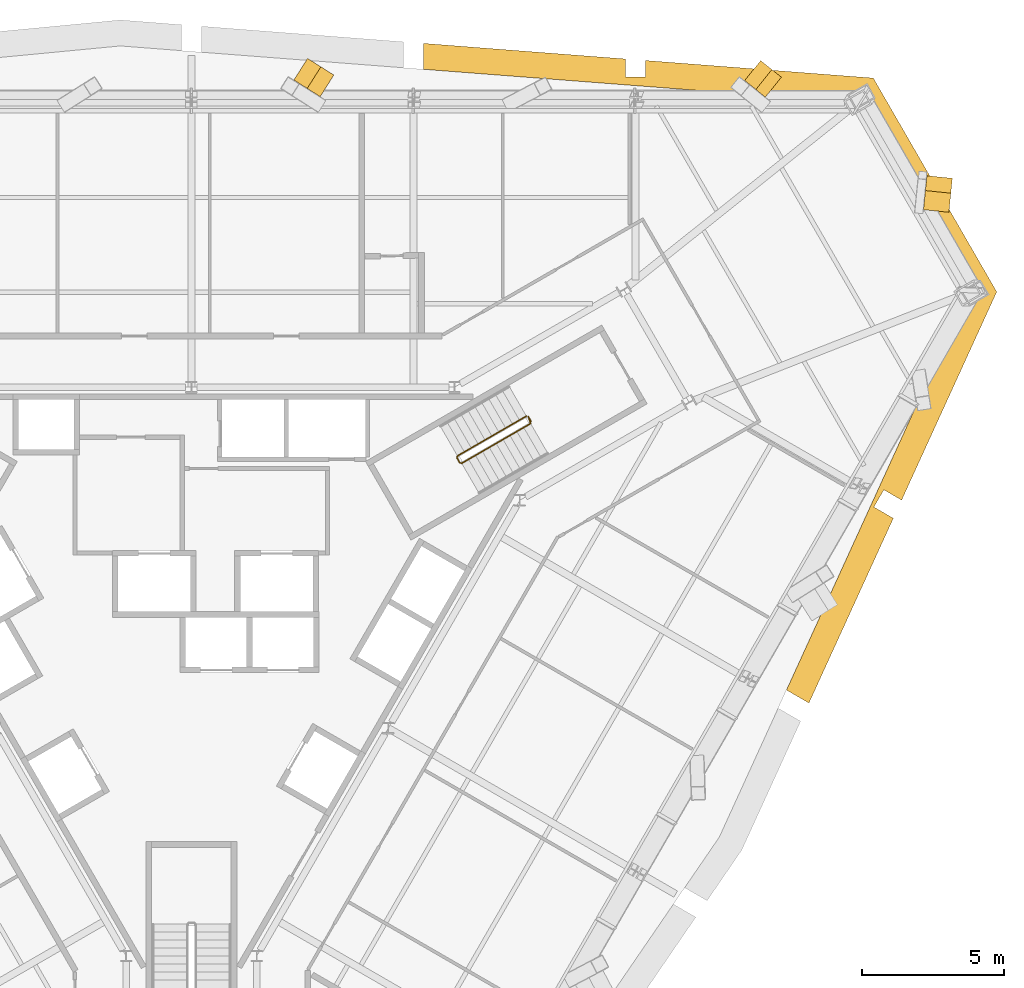
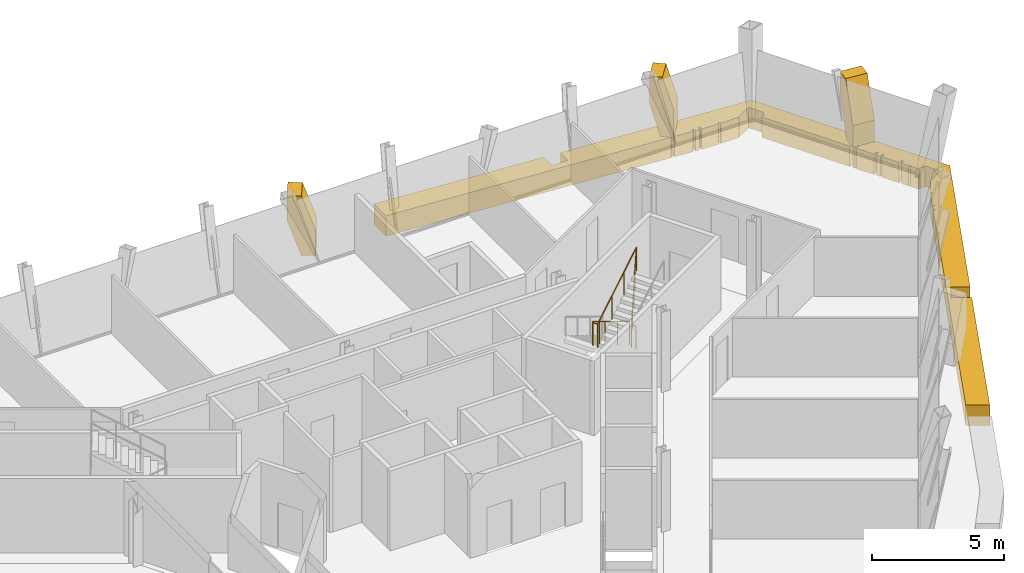
# One storey, part 12 of 12: 4 coverings, 1 railing.
"""IFC4 building model written with IfcOpenShell, lengths in metres."""

from ifc_helpers import new_model, si_unit, direction, frame, origin, origin_2d, place, context, subcontext, project, spatial, polyline, circle, outline, extrude, material, layer, layer_set, type_object, element, save


model = new_model("IFC4")

# Units and contexts
model_context = context("Model", 3, precision=1e-05, world=origin(), true_north=direction((0.0, 1.0)))
body_context = subcontext(model_context, "Body", "Model", "MODEL_VIEW")
ifc_project = project(units=[si_unit("LENGTHUNIT", "METRE"), si_unit("AREAUNIT", "SQUARE_METRE"), si_unit("VOLUMEUNIT", "CUBIC_METRE"), si_unit("PLANEANGLEUNIT", "RADIAN"), si_unit("MASSUNIT", "GRAM", prefix="KILO")], contexts=[model_context])

# Site, building, storey
site_placement = place(None, origin())
site = spatial("IfcSite", under=ifc_project, at=site_placement, CompositionType="ELEMENT")
building_placement = place(site_placement, origin())
building = spatial("IfcBuilding", under=site, at=building_placement, Name="Verrane Prism Tower", CompositionType="ELEMENT")
storey_placement = place(building_placement, frame((0.0, 0.0, 185.800048828125)))
storey = spatial("IfcBuildingStorey", under=building, at=storey_placement, Name="L46", CompositionType="ELEMENT", Elevation=185.800048828125)

# Railing
ifc_material_1 = material(Name="Steel A36 rail and posts, no infill", Category="steel")
railing_type = type_object("IfcRailingType", Name="Stair guard 1100 steel rail and posts", PredefinedType="GUARDRAIL", material=ifc_material_1)
railing_placement = place(storey_placement, frame((11.78955078125, 6.97998046875, 0.168212890625)))
element("IfcRailing", 1, at=railing_placement, inside=storey, type_object=railing_type, Name="Stair 1 guard", PredefinedType="GUARDRAIL", context=body_context, shape_type="SweptSolid", body=[
    extrude(circle(Radius=0.02392578125, at=origin_2d()), frame((0.0, 0.0, 1.076171875), z_axis=(-0.742395268701, -0.428678701772, 0.514862928999), x_axis=(0.500049511043, -0.865996816683, 0.0)), (0.0, 0.0, 1.0), 3.26611328125),
    extrude(circle(Radius=0.02392578125, at=origin_2d()), frame((-2.4248046875, -1.400146484375, 2.7578125), z_axis=(-0.259601060869, -0.965715946433, 0.0), x_axis=(0.965715946433, -0.259601060869, 0.0)), (0.0, 0.0, 1.0), 0.070556640625),
    extrude(circle(Radius=0.02392578125, at=origin_2d()), frame((-2.443115234375, -1.46826171875, 2.7578125), z_axis=(0.499158860599, -0.866510491504, 0.0), x_axis=(0.866510491504, 0.499158860599, 0.0)), (0.0, 0.0, 1.0), 0.199951171875),
    extrude(circle(Radius=0.02392578125, at=origin_2d()), frame((-2.34326171875, -1.6416015625, 2.7578125), z_axis=(0.374585375571, -0.100335368456, 0.921747584887), x_axis=(0.258736085224, 0.965948051503, 0.0)), (0.0, 0.0, 1.0), 0.182373046875),
    extrude(circle(Radius=0.02392578125, at=origin_2d()), frame((-2.27490234375, -1.659912109375, 2.92578125), z_axis=(0.742366697286, 0.42866220388, 0.514917859203), x_axis=(-0.500049511043, 0.865996816683, 0.0)), (0.0, 0.0, 1.0), 3.266357421875),
    extrude(circle(Radius=0.02392578125, at=origin_2d()), frame((0.14990234375, -0.259765625, 4.60791015625), z_axis=(-0.021986835041, 0.065104730107, -0.997636182785), x_axis=(-0.947430582667, -0.3199613899, 0.0)), (0.0, 0.0, 1.0), 3.708740234375),
    extrude(circle(Radius=0.02392578125, at=origin_2d()), frame((0.068359375, -0.018310546875, 0.90771484375), z_axis=(0.499158860599, -0.866510491504, 0.0), x_axis=(0.866510491504, 0.499158860599, 0.0)), (0.0, 0.0, 1.0), 0.199951171875),
    extrude(circle(Radius=0.02099609375, at=origin_2d()), origin(), (0.0, 0.0, 1.0), 1.052001953125),
    extrude(circle(Radius=0.02099609375, at=origin_2d()), frame((-0.808349609375, -0.466796875, 0.560546875)), (0.0, 0.0, 1.0), 1.052001953125),
    extrude(circle(Radius=0.02099609375, at=origin_2d()), frame((-1.616455078125, -0.933349609375, 1.12109375)), (0.0, 0.0, 1.0), 1.052001953125),
    extrude(circle(Radius=0.02099609375, at=origin_2d()), frame((-2.4248046875, -1.400146484375, 1.681640625)), (0.0, 0.0, 1.0), 1.052001953125),
    extrude(circle(Radius=0.02099609375, at=origin_2d()), frame((-2.443115234375, -1.46826171875, 1.681640625)), (0.0, 0.0, 1.0), 1.052001953125),
    extrude(circle(Radius=0.02099609375, at=origin_2d()), frame((-2.34326171875, -1.6416015625, 1.681640625)), (0.0, 0.0, 1.0), 1.052001953125),
    extrude(circle(Radius=0.02099609375, at=origin_2d()), frame((-2.27490234375, -1.659912109375, 1.849853515625)), (0.0, 0.0, 1.0), 1.052001953125),
    extrude(circle(Radius=0.02099609375, at=origin_2d()), frame((-1.466552734375, -1.193115234375, 2.410400390625)), (0.0, 0.0, 1.0), 1.052001953125),
    extrude(circle(Radius=0.02099609375, at=origin_2d()), frame((-0.658447265625, -0.7265625, 2.97119140625)), (0.0, 0.0, 1.0), 1.052001953125),
    extrude(circle(Radius=0.02099609375, at=origin_2d()), frame((0.14990234375, -0.259765625, 3.53173828125)), (0.0, 0.0, 1.0), 1.052001953125),
    extrude(circle(Radius=0.02099609375, at=origin_2d()), frame((0.12939453125, -0.199462890625, 2.606689453125)), (0.0, 0.0, 1.0), 1.052001953125),
    extrude(circle(Radius=0.02099609375, at=origin_2d()), frame((0.109130859375, -0.13916015625, 1.681640625)), (0.0, 0.0, 1.0), 1.052001953125),
    extrude(circle(Radius=0.02099609375, at=origin_2d()), frame((0.0888671875, -0.07861328125, 0.7568359375)), (0.0, 0.0, 1.0), 1.052001953125),
    extrude(circle(Radius=0.02099609375, at=origin_2d()), frame((0.068359375, -0.018310546875, -0.168212890625)), (0.0, 0.0, 1.0), 1.052001953125),
    extrude(circle(Radius=0.02099609375, at=origin_2d()), frame((0.168212890625, -0.191650390625, -0.168212890625)), (0.0, 0.0, 1.0), 1.052001953125),
])

# Coverings
ifc_material_2 = material(Name="Warm limestone cladding", Category="masonry")
ifc_layer_1 = layer(ifc_material_2, 0.89990234375)
ifc_layer_set_1 = layer_set([ifc_layer_1], Name="Stone brace fin 900")
covering_type_1 = type_object("IfcCoveringType", Name="Stone brace fin 900", PredefinedType="CLADDING", material=ifc_layer_set_1)
covering_1_placement = place(storey_placement, frame((20.482421875, 18.55859375, 0.0), z_axis=(0.0, 0.0, 1.0), x_axis=(-0.779155093918, 0.626831189094, 0.0)))
element("IfcCovering", 2, at=covering_1_placement, inside=storey, type_object=covering_type_1, Name="Stone brace fin N1 L46", PredefinedType="CLADDING", context=body_context, shape_type="SweptSolid", body=[
    extrude(outline(polyline([(0.932861328125, 2.75), (0.427978515625, 2.75), (0.0, 1.283203125), (0.0, 0.0), (0.501220703125, 0.0), (0.932861328125, 1.4794921875), (0.932861328125, 2.75)])), frame((0.0, 0.449951171875, 0.0), z_axis=(0.0, -1.0, 0.0), x_axis=(1.0, 0.0, 0.0)), (0.0, 0.0, 1.0), 0.89990234375),
])
covering_2_placement = place(storey_placement, frame((4.77197265625, 18.60498046875, 0.0), z_axis=(0.0, 0.0, 1.0), x_axis=(-0.845228996249, 0.534404288811, 0.0)))
element("IfcCovering", 3, at=covering_2_placement, inside=storey, type_object=covering_type_1, Name="Stone brace fin N3 L46", PredefinedType="CLADDING", context=body_context, shape_type="SweptSolid", body=[
    extrude(outline(polyline([(1.093994140625, 2.75), (0.539794921875, 2.75), (0.0, 1.1728515625), (0.0, 0.0), (0.5498046875, 0.0), (1.093994140625, 1.58984375), (1.093994140625, 2.75)])), frame((0.0, 0.449951171875, 0.0), z_axis=(0.0, -1.0, 0.0), x_axis=(1.0, 0.0, 0.0)), (0.0, 0.0, 1.0), 0.89990234375),
])
covering_3_placement = place(storey_placement, frame((26.21435546875, 14.200927734375, 0.0), z_axis=(0.0, 0.0, 1.0), x_axis=(0.100910826693, 0.994895474437, 0.0)))
element("IfcCovering", 4, at=covering_3_placement, inside=storey, type_object=covering_type_1, Name="Stone brace fin NE1 L46", PredefinedType="CLADDING", context=body_context, shape_type="SweptSolid", body=[
    extrude(outline(polyline([(1.202392578125, 2.75), (0.67529296875, 2.75), (0.0, 1.004638671875), (0.0, 0.0), (0.576416015625, 0.0), (1.202392578125, 1.618408203125), (1.202392578125, 2.75)])), frame((0.0, 0.449951171875, 0.0), z_axis=(0.0, -1.0, 0.0), x_axis=(1.0, 0.0, 0.0)), (0.0, 0.0, 1.0), 0.89990234375),
])
ifc_material_3 = material(Name="Warm limestone cladding", Category="masonry")
ifc_layer_2 = layer(ifc_material_3, 0.449951171875)
ifc_layer_set_2 = layer_set([ifc_layer_2], Name="Stone spandrel band 450")
covering_type_2 = type_object("IfcCoveringType", Name="Stone spandrel band 450", PredefinedType="CLADDING", material=ifc_layer_set_2)
covering_4_placement = place(storey_placement, frame((0.0, 0.0, -0.949951171875)))
element("IfcCovering", 5, at=covering_4_placement, inside=storey, type_object=covering_type_2, Name="Stone spandrel band L46 part 2", PredefinedType="CLADDING", context=body_context, shape_type="SweptSolid", body=[
    extrude(outline(polyline([(8.16748046875, 19.187744140625), (20.128662109375, 18.26611328125), (20.1572265625, 18.3017578125), (20.174560546875, 18.287841796875), (20.174560546875, 18.31005859375), (20.274169921875, 18.31005859375), (20.274169921875, 18.2548828125), (21.044189453125, 18.195556640625), (21.044189453125, 18.31005859375), (21.1396484375, 18.31005859375), (21.1396484375, 18.188232421875), (21.308349609375, 18.17529296875), (21.3251953125, 18.3076171875), (21.419189453125, 18.295654296875), (21.40283203125, 18.16796875), (21.7216796875, 18.143310546875), (22.13818359375, 18.143310546875), (22.145751953125, 18.20361328125), (22.236083984375, 18.192138671875), (22.22998046875, 18.143310546875), (23.02099609375, 18.143310546875), (23.657470703125, 18.5107421875), (23.9873046875, 17.939208984375), (23.968505859375, 17.92822265625), (23.8603515625, 17.739013671875), (23.787109375, 17.69677734375), (25.6982421875, 14.38671875), (25.9267578125, 14.36328125), (25.91357421875, 14.2314453125), (25.77978515625, 14.2451171875), (25.822021484375, 14.172119140625), (25.96533203125, 14.2548828125), (25.99755859375, 14.19921875), (25.854248046875, 14.1162109375), (26.235107421875, 13.45654296875), (26.378662109375, 13.53955078125), (26.429931640625, 13.450927734375), (26.286376953125, 13.367919921875), (26.374755859375, 13.21484375), (26.518310546875, 13.2978515625), (26.550537109375, 13.241943359375), (26.406982421875, 13.158935546875), (26.78759765625, 12.499267578125), (26.931396484375, 12.58251953125), (26.982666015625, 12.493896484375), (26.8388671875, 12.41064453125), (26.98828125, 12.152099609375), (27.079345703125, 12.120849609375), (27.05908203125, 12.0615234375), (27.035888671875, 12.0693359375), (27.21728515625, 11.75537109375), (27.289306640625, 11.797119140625), (27.50830078125, 11.7998046875), (27.52734375, 11.810791015625), (27.857421875, 11.2392578125), (27.22998046875, 10.876953125), (26.829345703125, 10.18310546875), (26.8701171875, 10.165771484375), (26.835205078125, 10.08203125), (26.783447265625, 10.103759765625), (26.740234375, 10.02880859375), (26.47216796875, 9.44189453125), (26.5517578125, 9.408447265625), (26.51513671875, 9.3212890625), (26.43310546875, 9.35595703125), (26.3603515625, 9.197021484375), (26.424560546875, 9.159912109375), (26.376708984375, 9.0771484375), (26.320556640625, 9.109619140625), (20.944580078125, -2.661376953125), (21.736083984375, -3.118408203125), (24.706298828125, 3.38525390625), (24.02099609375, 3.78076171875), (24.37109375, 4.386962890625), (24.998291015625, 4.02490234375), (28.345703125, 11.35400390625), (24.000244140625, 18.88037109375), (15.98486328125, 19.497802734375), (15.98486328125, 18.912109375), (15.284912109375, 18.912109375), (15.284912109375, 19.552001953125), (8.16748046875, 20.100341796875), (8.16748046875, 19.187744140625)])), origin(), (0.0, 0.0, 1.0), 0.949951171875),
])

save(model, "model.ifc")
